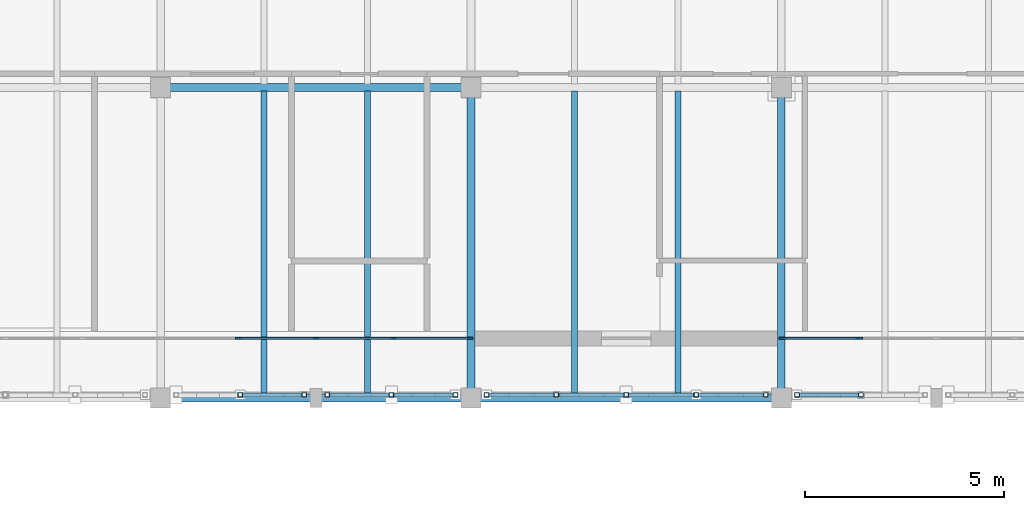
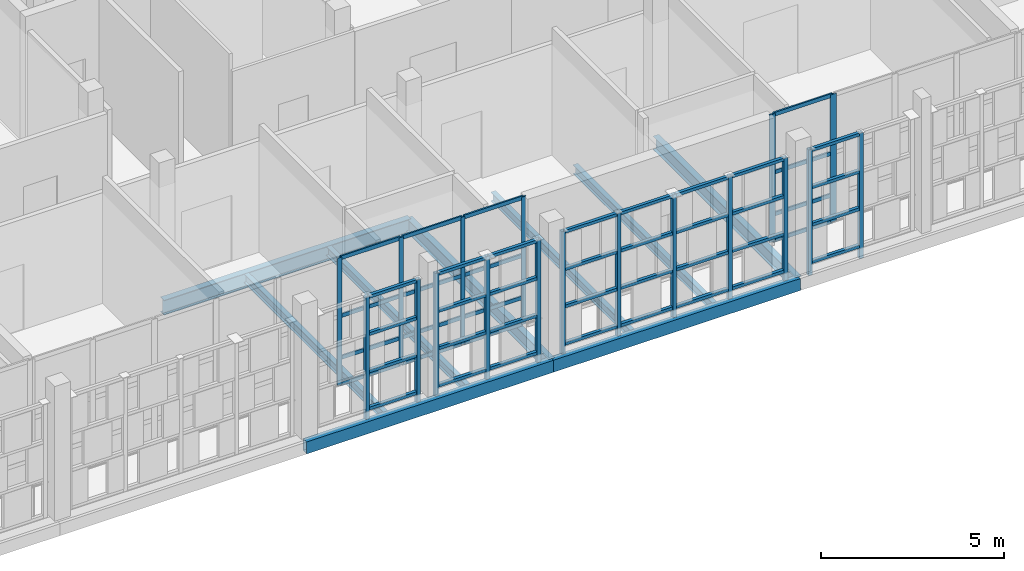
# One storey, part 37 of 89: 66 members, 9 beams, 2 elements without a shape of their own.
"""IFC4 building model written with IfcOpenShell, lengths in metres."""

from ifc_helpers import new_model, si_unit, direction, frame, origin, origin_2d, place, context, subcontext, project, spatial, rectangle, hollow_rectangle, i_section, extrude, material, layer, layer_set, material_profile, profile_set, type_object, element, aggregate, save


model = new_model("IFC4")

# Units and contexts
model_context = context("Model", 3, precision=1e-05, world=origin(), true_north=direction((0.0, 1.0)))
body_context = subcontext(model_context, "Body", "Model", "MODEL_VIEW")
ifc_project = project(units=[si_unit("LENGTHUNIT", "METRE"), si_unit("AREAUNIT", "SQUARE_METRE"), si_unit("VOLUMEUNIT", "CUBIC_METRE"), si_unit("PLANEANGLEUNIT", "RADIAN"), si_unit("MASSUNIT", "GRAM", prefix="KILO")], contexts=[model_context])

# Site, building, storey
site_placement = place(None, origin())
site = spatial("IfcSite", under=ifc_project, at=site_placement, CompositionType="ELEMENT")
building_placement = place(site_placement, origin())
building = spatial("IfcBuilding", under=site, at=building_placement, Name="Celorna Specialist Clinic", CompositionType="ELEMENT")
storey_placement = place(building_placement, frame((0.0, 0.0, 14.10009765625)))
storey = spatial("IfcBuildingStorey", under=building, at=storey_placement, Name="L03", CompositionType="ELEMENT", Elevation=14.10009765625)

# Beams
ifc_material_1 = material(Name="Steel S355", Category="steel")
ifc_material_profile_1 = material_profile(ifc_material_1, i_section(OverallWidth=0.199951171875, OverallDepth=0.5, WebThickness=0.01025390625, FlangeThickness=0.01611328125, at=origin_2d()), Name="IPE 500")
ifc_profile_set_1 = profile_set([ifc_material_profile_1], Name="Steel S355")
beam_type_1 = type_object("IfcBeamType", Name="BM-08", PredefinedType="BEAM", material=ifc_profile_set_1)
beam_placement = place(storey_placement, frame((78.0, 104.300048828125, -0.510009765625), z_axis=(1.0, 0.0, 0.0), x_axis=(0.0, 1.0, 0.0)))
element("IfcBeam", 1, at=beam_placement, inside=storey, type_object=beam_type_1, Name="Primary girder BM-08 #1216", PredefinedType="BEAM", context=body_context, shape_type="SweptSolid", body=[
    extrude(i_section(OverallWidth=0.199951171875, OverallDepth=0.5, WebThickness=0.01025390625, FlangeThickness=0.01611328125, at=origin_2d()), origin(), (0.0, 0.0, 1.0), 7.800048828125),
])
ifc_material_profile_2 = material_profile(ifc_material_1, i_section(OverallWidth=0.18994140625, OverallDepth=0.449951171875, WebThickness=0.009521484375, FlangeThickness=0.0146484375, at=origin_2d()), Name="IPE 450")
ifc_profile_set_2 = profile_set([ifc_material_profile_2], Name="Steel S355")
beam_type_2 = type_object("IfcBeamType", Name="BM-09", PredefinedType="BEAM", material=ifc_profile_set_2)
for number, where, z_axis, x_axis, name in (
    (2, (85.800048828125, 96.5, -0.485107421875), (0.0, 1.0, 0.0), (-1.0, 0.0, 0.0), "Transverse girder BM-09 #1260"),
    (3, (93.60009765625, 96.5, -0.485107421875), (0.0, 1.0, 0.0), (-1.0, 0.0, 0.0), "Transverse girder BM-09 #1263"),
):
    element("IfcBeam", number, at=place(storey_placement, frame(where, z_axis=z_axis, x_axis=x_axis)), inside=storey, type_object=beam_type_2, Name=name, PredefinedType="BEAM", context=body_context, shape_type="SweptSolid", body=[
        extrude(i_section(OverallWidth=0.18994140625, OverallDepth=0.449951171875, WebThickness=0.009521484375, FlangeThickness=0.0146484375, at=origin_2d()), origin(), (0.0, 0.0, 1.0), 7.800048828125),
    ])
ifc_material_profile_3 = material_profile(ifc_material_1, i_section(OverallWidth=0.14990234375, OverallDepth=0.300048828125, WebThickness=0.007080078125, FlangeThickness=0.0107421875, at=origin_2d()), Name="IPE 300")
ifc_profile_set_3 = profile_set([ifc_material_profile_3], Name="Steel S355")
beam_type_3 = type_object("IfcBeamType", Name="BM-13", PredefinedType="JOIST", material=ifc_profile_set_3)
for number, where, z_axis, x_axis, name in (
    (4, (80.60009765625, 96.587890625, -0.41015625), (0.0, 1.0, 0.0), (-1.0, 0.0, 0.0), "Secondary floor joist BM-13 #1301"),
    (5, (83.199951171875, 96.587890625, -0.41015625), (0.0, 1.0, 0.0), (-1.0, 0.0, 0.0), "Secondary floor joist BM-13 #1302"),
    (6, (88.39990234375, 96.587890625, -0.41015625), (0.0, 1.0, 0.0), (-1.0, 0.0, 0.0), "Secondary floor joist BM-13 #1305"),
    (7, (91.0, 96.587890625, -0.41015625), (0.0, 1.0, 0.0), (-1.0, 0.0, 0.0), "Secondary floor joist BM-13 #1306"),
):
    element("IfcBeam", number, at=place(storey_placement, frame(where, z_axis=z_axis, x_axis=x_axis)), inside=storey, type_object=beam_type_3, Name=name, PredefinedType="JOIST", context=body_context, shape_type="SweptSolid", body=[
        extrude(i_section(OverallWidth=0.14990234375, OverallDepth=0.300048828125, WebThickness=0.007080078125, FlangeThickness=0.0107421875, at=origin_2d()), origin(), (0.0, 0.0, 1.0), 7.6240234375),
    ])
ifc_material_profile_4 = material_profile(ifc_material_1, hollow_rectangle(XDim=0.199951171875, YDim=0.39990234375, WallThickness=0.011962890625, at=origin_2d()), Name="RHS 200x400x12")
ifc_profile_set_4 = profile_set([ifc_material_profile_4], Name="Steel S355")
beam_type_4 = type_object("IfcBeamType", Name="BM-15", PredefinedType="SPANDREL", material=ifc_profile_set_4)
for number, where, z_axis, x_axis, name in (
    (8, (78.0, 96.5, -0.460205078125), (1.0, 0.0, 0.0), (0.0, 1.0, 0.0), "Spandrel beam BM-15 #1205"),
    (9, (85.800048828125, 96.5, -0.460205078125), (1.0, 0.0, 0.0), (0.0, 1.0, 0.0), "Spandrel beam BM-15 #1206"),
):
    element("IfcBeam", number, at=place(storey_placement, frame(where, z_axis=z_axis, x_axis=x_axis)), inside=storey, type_object=beam_type_4, Name=name, PredefinedType="SPANDREL", context=body_context, shape_type="SweptSolid", body=[
        extrude(hollow_rectangle(XDim=0.199951171875, YDim=0.39990234375, WallThickness=0.011962890625, at=origin_2d()), origin(), (0.0, 0.0, 1.0), 7.800048828125),
    ])

# Members
ifc_material_profile_5 = material_profile(ifc_material_1, hollow_rectangle(XDim=0.1201171875, YDim=0.1201171875, WallThickness=0.008056640625, at=origin_2d()), Name="SHS 120x120x8")
ifc_profile_set_5 = profile_set([ifc_material_profile_5], Name="Steel S355")
member_type_1 = type_object("IfcMemberType", Name="MB-11", PredefinedType="STUD", material=ifc_profile_set_5)
for number, where, z_axis, x_axis, name in (
    (10, (80.0, 96.580078125, -0.360107421875), (0.0, 0.0, 1.0), (1.0, 0.0, 0.0), "Perforated screen steel post #1316"),
    (11, (81.610107421875, 96.580078125, -0.360107421875), (0.0, 0.0, 1.0), (1.0, 0.0, 0.0), "Perforated screen steel post #1317"),
    (12, (82.18994140625, 96.580078125, -0.360107421875), (0.0, 0.0, 1.0), (1.0, 0.0, 0.0), "Perforated screen steel post #1326"),
    (13, (83.800048828125, 96.580078125, -0.360107421875), (0.0, 0.0, 1.0), (1.0, 0.0, 0.0), "Perforated screen steel post #1327"),
    (14, (85.409912109375, 96.580078125, -0.360107421875), (0.0, 0.0, 1.0), (1.0, 0.0, 0.0), "Perforated screen steel post #1328"),
    (15, (86.18994140625, 96.580078125, -0.360107421875), (0.0, 0.0, 1.0), (1.0, 0.0, 0.0), "Perforated screen steel post #1337"),
    (16, (87.945068359375, 96.580078125, -0.360107421875), (0.0, 0.0, 1.0), (1.0, 0.0, 0.0), "Perforated screen steel post #1338"),
    (17, (89.699951171875, 96.580078125, -0.360107421875), (0.0, 0.0, 1.0), (1.0, 0.0, 0.0), "Perforated screen steel post #1339"),
    (18, (91.455078125, 96.580078125, -0.360107421875), (0.0, 0.0, 1.0), (1.0, 0.0, 0.0), "Perforated screen steel post #1340"),
    (19, (93.2099609375, 96.580078125, -0.360107421875), (0.0, 0.0, 1.0), (1.0, 0.0, 0.0), "Perforated screen steel post #1341"),
    (20, (93.989990234375, 96.580078125, -0.360107421875), (0.0, 0.0, 1.0), (1.0, 0.0, 0.0), "Perforated screen steel post #1358"),
    (21, (95.60009765625, 96.580078125, -0.360107421875), (0.0, 0.0, 1.0), (1.0, 0.0, 0.0), "Perforated screen steel post #1359"),
):
    element("IfcMember", number, at=place(storey_placement, frame(where, z_axis=z_axis, x_axis=x_axis)), inside=storey, type_object=member_type_1, Name=name, PredefinedType="STUD", context=body_context, shape_type="SweptSolid", body=[
        extrude(hollow_rectangle(XDim=0.1201171875, YDim=0.1201171875, WallThickness=0.008056640625, at=origin_2d()), origin(), (0.0, 0.0, 1.0), 4.199951171875),
    ])
ifc_material_profile_6 = material_profile(ifc_material_1, hollow_rectangle(XDim=0.10009765625, YDim=0.10009765625, WallThickness=0.006103515625, at=origin_2d()), Name="SHS 100x100x6")
ifc_profile_set_6 = profile_set([ifc_material_profile_6], Name="Steel S355")
member_type_2 = type_object("IfcMemberType", Name="MB-12", PredefinedType="STUD", material=ifc_profile_set_6)
for number, where, z_axis, x_axis, name in (
    (22, (80.06005859375, 96.580078125, 0.0498046875), (1.0, 0.0, 0.0), (0.0, 1.0, 0.0), "Perforated screen rail #1322"),
    (23, (80.06005859375, 96.580078125, 1.296630859375), (1.0, 0.0, 0.0), (0.0, 1.0, 0.0), "Perforated screen rail #1323"),
    (24, (80.06005859375, 96.580078125, 2.543212890625), (1.0, 0.0, 0.0), (0.0, 1.0, 0.0), "Perforated screen rail #1324"),
    (25, (80.06005859375, 96.580078125, 3.789794921875), (1.0, 0.0, 0.0), (0.0, 1.0, 0.0), "Perforated screen rail #1325"),
    (26, (82.25, 96.580078125, 0.0498046875), (1.0, 0.0, 0.0), (0.0, 1.0, 0.0), "Perforated screen rail #1329"),
    (27, (82.25, 96.580078125, 1.296630859375), (1.0, 0.0, 0.0), (0.0, 1.0, 0.0), "Perforated screen rail #1330"),
    (28, (82.25, 96.580078125, 2.543212890625), (1.0, 0.0, 0.0), (0.0, 1.0, 0.0), "Perforated screen rail #1331"),
    (29, (82.25, 96.580078125, 3.789794921875), (1.0, 0.0, 0.0), (0.0, 1.0, 0.0), "Perforated screen rail #1332"),
    (30, (83.860107421875, 96.580078125, 0.0498046875), (1.0, 0.0, 0.0), (0.0, 1.0, 0.0), "Perforated screen rail #1333"),
    (31, (83.860107421875, 96.580078125, 1.296630859375), (1.0, 0.0, 0.0), (0.0, 1.0, 0.0), "Perforated screen rail #1334"),
    (32, (83.860107421875, 96.580078125, 2.543212890625), (1.0, 0.0, 0.0), (0.0, 1.0, 0.0), "Perforated screen rail #1335"),
    (33, (83.860107421875, 96.580078125, 3.789794921875), (1.0, 0.0, 0.0), (0.0, 1.0, 0.0), "Perforated screen rail #1336"),
):
    element("IfcMember", number, at=place(storey_placement, frame(where, z_axis=z_axis, x_axis=x_axis)), inside=storey, type_object=member_type_2, Name=name, PredefinedType="STUD", context=body_context, shape_type="SweptSolid", body=[
        extrude(hollow_rectangle(XDim=0.10009765625, YDim=0.10009765625, WallThickness=0.006103515625, at=origin_2d()), origin(), (0.0, 0.0, 1.0), 1.489990234375),
    ])
for number, where, z_axis, x_axis, name in (
    (34, (86.25, 96.580078125, 0.0498046875), (1.0, 0.0, 0.0), (0.0, 1.0, 0.0), "Perforated screen rail #1342"),
    (35, (86.25, 96.580078125, 1.296630859375), (1.0, 0.0, 0.0), (0.0, 1.0, 0.0), "Perforated screen rail #1343"),
    (36, (86.25, 96.580078125, 2.543212890625), (1.0, 0.0, 0.0), (0.0, 1.0, 0.0), "Perforated screen rail #1344"),
    (37, (86.25, 96.580078125, 3.789794921875), (1.0, 0.0, 0.0), (0.0, 1.0, 0.0), "Perforated screen rail #1345"),
    (38, (88.0048828125, 96.580078125, 0.0498046875), (1.0, 0.0, 0.0), (0.0, 1.0, 0.0), "Perforated screen rail #1346"),
    (39, (88.0048828125, 96.580078125, 1.296630859375), (1.0, 0.0, 0.0), (0.0, 1.0, 0.0), "Perforated screen rail #1347"),
    (40, (88.0048828125, 96.580078125, 2.543212890625), (1.0, 0.0, 0.0), (0.0, 1.0, 0.0), "Perforated screen rail #1348"),
    (41, (88.0048828125, 96.580078125, 3.789794921875), (1.0, 0.0, 0.0), (0.0, 1.0, 0.0), "Perforated screen rail #1349"),
    (42, (89.760009765625, 96.580078125, 0.0498046875), (1.0, 0.0, 0.0), (0.0, 1.0, 0.0), "Perforated screen rail #1350"),
    (43, (89.760009765625, 96.580078125, 1.296630859375), (1.0, 0.0, 0.0), (0.0, 1.0, 0.0), "Perforated screen rail #1351"),
    (44, (89.760009765625, 96.580078125, 2.543212890625), (1.0, 0.0, 0.0), (0.0, 1.0, 0.0), "Perforated screen rail #1352"),
    (45, (89.760009765625, 96.580078125, 3.789794921875), (1.0, 0.0, 0.0), (0.0, 1.0, 0.0), "Perforated screen rail #1353"),
    (46, (91.514892578125, 96.580078125, 0.0498046875), (1.0, 0.0, 0.0), (0.0, 1.0, 0.0), "Perforated screen rail #1354"),
    (47, (91.514892578125, 96.580078125, 1.296630859375), (1.0, 0.0, 0.0), (0.0, 1.0, 0.0), "Perforated screen rail #1355"),
    (48, (91.514892578125, 96.580078125, 2.543212890625), (1.0, 0.0, 0.0), (0.0, 1.0, 0.0), "Perforated screen rail #1356"),
    (49, (91.514892578125, 96.580078125, 3.789794921875), (1.0, 0.0, 0.0), (0.0, 1.0, 0.0), "Perforated screen rail #1357"),
):
    element("IfcMember", number, at=place(storey_placement, frame(where, z_axis=z_axis, x_axis=x_axis)), inside=storey, type_object=member_type_2, Name=name, PredefinedType="STUD", context=body_context, shape_type="SweptSolid", body=[
        extrude(hollow_rectangle(XDim=0.10009765625, YDim=0.10009765625, WallThickness=0.006103515625, at=origin_2d()), origin(), (0.0, 0.0, 1.0), 1.635009765625),
    ])
for number, where, z_axis, x_axis, name in (
    (50, (94.050048828125, 96.580078125, 0.0498046875), (1.0, 0.0, 0.0), (0.0, 1.0, 0.0), "Perforated screen rail #1361"),
    (51, (94.050048828125, 96.580078125, 1.296630859375), (1.0, 0.0, 0.0), (0.0, 1.0, 0.0), "Perforated screen rail #1362"),
    (52, (94.050048828125, 96.580078125, 2.543212890625), (1.0, 0.0, 0.0), (0.0, 1.0, 0.0), "Perforated screen rail #1363"),
    (53, (94.050048828125, 96.580078125, 3.789794921875), (1.0, 0.0, 0.0), (0.0, 1.0, 0.0), "Perforated screen rail #1364"),
):
    element("IfcMember", number, at=place(storey_placement, frame(where, z_axis=z_axis, x_axis=x_axis)), inside=storey, type_object=member_type_2, Name=name, PredefinedType="STUD", context=body_context, shape_type="SweptSolid", body=[
        extrude(hollow_rectangle(XDim=0.10009765625, YDim=0.10009765625, WallThickness=0.006103515625, at=origin_2d()), origin(), (0.0, 0.0, 1.0), 1.489990234375),
    ])

# Curtain wall, members
ifc_material_2 = material(Name="Thermally broken aluminium and solar-control glass curtain wall", Category="aluminium")
ifc_layer_1 = layer(ifc_material_2, 0.159912109375, Name="Thermally broken aluminium and solar-control glass curtain wall")
ifc_layer_set_1 = layer_set([ifc_layer_1], Name="Thermally broken aluminium and solar-control glass curtain wall")
curtain_wall_type_1 = type_object("IfcCurtainWallType", Name="CW-71", PredefinedType="NOTDEFINED", material=ifc_layer_set_1)
curtain_wall_1_placement = place(storey_placement, origin())
curtain_wall_1 = element("IfcCurtainWall", 54, at=curtain_wall_1_placement, inside=storey, type_object=curtain_wall_type_1, Name="Curtain wall CW-71 #133", PredefinedType="NOTDEFINED")
ifc_material_3 = material(Name="Anodized aluminium mullion", Category="aluminium")
ifc_material_profile_7 = material_profile(ifc_material_3, rectangle(XDim=0.050048828125, YDim=0.179931640625, at=origin_2d()), Name="ALU MULLION 50x180")
ifc_profile_set_7 = profile_set([ifc_material_profile_7], Name="Anodized aluminium mullion")
member_type_3 = type_object("IfcMemberType", Name="ML-02", PredefinedType="MULLION", material=ifc_profile_set_7)
member_1_placement = place(storey_placement, frame((95.552001953125, 98.0, 0.0), z_axis=(0.0, 0.0, 1.0), x_axis=(0.0, -1.0, 0.0)))
member_1 = element("IfcMember", 55, at=member_1_placement, type_object=member_type_3, Name="CW-71 mullion 4", PredefinedType="MULLION", context=body_context, shape_type="SweptSolid", body=[
    extrude(rectangle(XDim=0.050048828125, YDim=0.179931640625, at=origin_2d()), origin(), (0.0, 0.0, 1.0), 4.260009765625),
])
member_2_placement = place(storey_placement, frame((93.62890625, 98.0, 0.0), z_axis=(0.0, 0.0, 1.0), x_axis=(0.0, -1.0, 0.0)))
member_2 = element("IfcMember", 56, at=member_2_placement, type_object=member_type_3, Name="CW-71 mullion 5", PredefinedType="MULLION", context=body_context, shape_type="SweptSolid", body=[
    extrude(rectangle(XDim=0.050048828125, YDim=0.179931640625, at=origin_2d()), origin(), (0.0, 0.0, 1.0), 4.260009765625),
])

ifc_layer_2 = layer(ifc_material_2, 0.159912109375, Name="Thermally broken aluminium and solar-control glass curtain wall")
ifc_layer_set_2 = layer_set([ifc_layer_2], Name="Thermally broken aluminium and solar-control glass curtain wall")
curtain_wall_type_2 = type_object("IfcCurtainWallType", Name="CW-69", PredefinedType="NOTDEFINED", material=ifc_layer_set_2)
curtain_wall_2_placement = place(storey_placement, origin())
curtain_wall_2 = element("IfcCurtainWall", 57, at=curtain_wall_2_placement, inside=storey, type_object=curtain_wall_type_2, Name="Curtain wall CW-69 #132", PredefinedType="NOTDEFINED")
ifc_material_profile_8 = material_profile(ifc_material_3, rectangle(XDim=0.050048828125, YDim=0.139892578125, at=origin_2d()), Name="ALU MULLION 50x140")
ifc_profile_set_8 = profile_set([ifc_material_profile_8], Name="Anodized aluminium mullion")
member_type_4 = type_object("IfcMemberType", Name="ML-03", PredefinedType="MULLION", material=ifc_profile_set_8)
member_3_placement = place(storey_placement, frame((85.77099609375, 98.0, 0.0), z_axis=(0.0, 0.0, 1.0), x_axis=(0.0, -1.0, 0.0)))
member_3 = element("IfcMember", 58, at=member_3_placement, type_object=member_type_4, Name="CW-69 mullion 1", PredefinedType="MULLION", context=body_context, shape_type="SweptSolid", body=[
    extrude(rectangle(XDim=0.050048828125, YDim=0.139892578125, at=origin_2d()), origin(), (0.0, 0.0, 1.0), 4.260009765625),
])
member_4_placement = place(storey_placement, frame((83.847900390625, 98.0, 0.0), z_axis=(0.0, 0.0, 1.0), x_axis=(0.0, -1.0, 0.0)))
member_4 = element("IfcMember", 59, at=member_4_placement, type_object=member_type_4, Name="CW-69 mullion 2", PredefinedType="MULLION", context=body_context, shape_type="SweptSolid", body=[
    extrude(rectangle(XDim=0.050048828125, YDim=0.139892578125, at=origin_2d()), origin(), (0.0, 0.0, 1.0), 4.260009765625),
])
member_5_placement = place(storey_placement, frame((81.89990234375, 98.0, 0.0), z_axis=(0.0, 0.0, 1.0), x_axis=(0.0, -1.0, 0.0)))
member_5 = element("IfcMember", 60, at=member_5_placement, type_object=member_type_4, Name="CW-69 mullion 3", PredefinedType="MULLION", context=body_context, shape_type="SweptSolid", body=[
    extrude(rectangle(XDim=0.050048828125, YDim=0.139892578125, at=origin_2d()), origin(), (0.0, 0.0, 1.0), 4.260009765625),
])
member_6_placement = place(storey_placement, frame((79.951904296875, 98.0, 0.0), z_axis=(0.0, 0.0, 1.0), x_axis=(0.0, -1.0, 0.0)))
member_6 = element("IfcMember", 61, at=member_6_placement, type_object=member_type_4, Name="CW-69 mullion 4", PredefinedType="MULLION", context=body_context, shape_type="SweptSolid", body=[
    extrude(rectangle(XDim=0.050048828125, YDim=0.139892578125, at=origin_2d()), origin(), (0.0, 0.0, 1.0), 4.260009765625),
])
ifc_material_4 = material(Name="Anodized aluminium transom", Category="aluminium")
ifc_material_profile_9 = material_profile(ifc_material_4, rectangle(XDim=0.050048828125, YDim=0.1298828125, at=origin_2d()), Name="ALU TRANSOM 50x130")
ifc_profile_set_9 = profile_set([ifc_material_profile_9], Name="Anodized aluminium transom")
member_type_5 = type_object("IfcMemberType", Name="TR-01", PredefinedType="USERDEFINED", material=ifc_profile_set_9)
member_7_placement = place(storey_placement, frame((85.74609375, 98.0, 0.02490234375), z_axis=(-1.0, 0.0, 0.0), x_axis=(0.0, -1.0, 0.0)))
member_7 = element("IfcMember", 62, at=member_7_placement, type_object=member_type_5, Name="CW-69 transom 1.1", ObjectType="TRANSOM", PredefinedType="USERDEFINED", context=body_context, shape_type="SweptSolid", body=[
    extrude(rectangle(XDim=0.050048828125, YDim=0.1298828125, at=origin_2d()), origin(), (0.0, 0.0, 1.0), 1.873046875),
])
member_8_placement = place(storey_placement, frame((85.74609375, 98.0, 0.89990234375), z_axis=(-1.0, 0.0, 0.0), x_axis=(0.0, -1.0, 0.0)))
member_8 = element("IfcMember", 63, at=member_8_placement, type_object=member_type_5, Name="CW-69 transom 1.2", ObjectType="TRANSOM", PredefinedType="USERDEFINED", context=body_context, shape_type="SweptSolid", body=[
    extrude(rectangle(XDim=0.050048828125, YDim=0.1298828125, at=origin_2d()), origin(), (0.0, 0.0, 1.0), 1.873046875),
])
member_9_placement = place(storey_placement, frame((85.74609375, 98.0, 2.2998046875), z_axis=(-1.0, 0.0, 0.0), x_axis=(0.0, -1.0, 0.0)))
member_9 = element("IfcMember", 64, at=member_9_placement, type_object=member_type_5, Name="CW-69 transom 1.3", ObjectType="TRANSOM", PredefinedType="USERDEFINED", context=body_context, shape_type="SweptSolid", body=[
    extrude(rectangle(XDim=0.050048828125, YDim=0.1298828125, at=origin_2d()), origin(), (0.0, 0.0, 1.0), 1.873046875),
])
member_10_placement = place(storey_placement, frame((85.74609375, 98.0, 4.23486328125), z_axis=(-1.0, 0.0, 0.0), x_axis=(0.0, -1.0, 0.0)))
member_10 = element("IfcMember", 65, at=member_10_placement, type_object=member_type_5, Name="CW-69 transom 1.4", ObjectType="TRANSOM", PredefinedType="USERDEFINED", context=body_context, shape_type="SweptSolid", body=[
    extrude(rectangle(XDim=0.050048828125, YDim=0.1298828125, at=origin_2d()), origin(), (0.0, 0.0, 1.0), 1.873046875),
])
member_11_placement = place(storey_placement, frame((83.822998046875, 98.0, 0.02490234375), z_axis=(-1.0, 0.0, 0.0), x_axis=(0.0, -1.0, 0.0)))
member_11 = element("IfcMember", 66, at=member_11_placement, type_object=member_type_5, Name="CW-69 transom 2.1", ObjectType="TRANSOM", PredefinedType="USERDEFINED", context=body_context, shape_type="SweptSolid", body=[
    extrude(rectangle(XDim=0.050048828125, YDim=0.1298828125, at=origin_2d()), origin(), (0.0, 0.0, 1.0), 1.89794921875),
])
member_12_placement = place(storey_placement, frame((83.822998046875, 98.0, 0.89990234375), z_axis=(-1.0, 0.0, 0.0), x_axis=(0.0, -1.0, 0.0)))
member_12 = element("IfcMember", 67, at=member_12_placement, type_object=member_type_5, Name="CW-69 transom 2.2", ObjectType="TRANSOM", PredefinedType="USERDEFINED", context=body_context, shape_type="SweptSolid", body=[
    extrude(rectangle(XDim=0.050048828125, YDim=0.1298828125, at=origin_2d()), origin(), (0.0, 0.0, 1.0), 1.89794921875),
])
member_13_placement = place(storey_placement, frame((83.822998046875, 98.0, 2.2998046875), z_axis=(-1.0, 0.0, 0.0), x_axis=(0.0, -1.0, 0.0)))
member_13 = element("IfcMember", 68, at=member_13_placement, type_object=member_type_5, Name="CW-69 transom 2.3", ObjectType="TRANSOM", PredefinedType="USERDEFINED", context=body_context, shape_type="SweptSolid", body=[
    extrude(rectangle(XDim=0.050048828125, YDim=0.1298828125, at=origin_2d()), origin(), (0.0, 0.0, 1.0), 1.89794921875),
])
member_14_placement = place(storey_placement, frame((83.822998046875, 98.0, 4.23486328125), z_axis=(-1.0, 0.0, 0.0), x_axis=(0.0, -1.0, 0.0)))
member_14 = element("IfcMember", 69, at=member_14_placement, type_object=member_type_5, Name="CW-69 transom 2.4", ObjectType="TRANSOM", PredefinedType="USERDEFINED", context=body_context, shape_type="SweptSolid", body=[
    extrude(rectangle(XDim=0.050048828125, YDim=0.1298828125, at=origin_2d()), origin(), (0.0, 0.0, 1.0), 1.89794921875),
])
member_15_placement = place(storey_placement, frame((81.875, 98.0, 0.02490234375), z_axis=(-1.0, 0.0, 0.0), x_axis=(0.0, -1.0, 0.0)))
member_15 = element("IfcMember", 70, at=member_15_placement, type_object=member_type_5, Name="CW-69 transom 3.1", ObjectType="TRANSOM", PredefinedType="USERDEFINED", context=body_context, shape_type="SweptSolid", body=[
    extrude(rectangle(XDim=0.050048828125, YDim=0.1298828125, at=origin_2d()), origin(), (0.0, 0.0, 1.0), 1.89794921875),
])
member_16_placement = place(storey_placement, frame((81.875, 98.0, 0.89990234375), z_axis=(-1.0, 0.0, 0.0), x_axis=(0.0, -1.0, 0.0)))
member_16 = element("IfcMember", 71, at=member_16_placement, type_object=member_type_5, Name="CW-69 transom 3.2", ObjectType="TRANSOM", PredefinedType="USERDEFINED", context=body_context, shape_type="SweptSolid", body=[
    extrude(rectangle(XDim=0.050048828125, YDim=0.1298828125, at=origin_2d()), origin(), (0.0, 0.0, 1.0), 1.89794921875),
])
member_17_placement = place(storey_placement, frame((81.875, 98.0, 2.2998046875), z_axis=(-1.0, 0.0, 0.0), x_axis=(0.0, -1.0, 0.0)))
member_17 = element("IfcMember", 72, at=member_17_placement, type_object=member_type_5, Name="CW-69 transom 3.3", ObjectType="TRANSOM", PredefinedType="USERDEFINED", context=body_context, shape_type="SweptSolid", body=[
    extrude(rectangle(XDim=0.050048828125, YDim=0.1298828125, at=origin_2d()), origin(), (0.0, 0.0, 1.0), 1.89794921875),
])
member_18_placement = place(storey_placement, frame((81.875, 98.0, 4.23486328125), z_axis=(-1.0, 0.0, 0.0), x_axis=(0.0, -1.0, 0.0)))
member_18 = element("IfcMember", 73, at=member_18_placement, type_object=member_type_5, Name="CW-69 transom 3.4", ObjectType="TRANSOM", PredefinedType="USERDEFINED", context=body_context, shape_type="SweptSolid", body=[
    extrude(rectangle(XDim=0.050048828125, YDim=0.1298828125, at=origin_2d()), origin(), (0.0, 0.0, 1.0), 1.89794921875),
])
aggregate(curtain_wall_2, [member_3, member_4, member_5, member_6, member_7, member_8, member_9, member_10, member_11, member_12, member_13, member_14, member_15, member_16, member_17, member_18])

# Member
member_19_placement = place(storey_placement, frame((95.527099609375, 98.0, 0.02490234375), z_axis=(-1.0, 0.0, 0.0), x_axis=(0.0, -1.0, 0.0)))
member_19 = element("IfcMember", 74, at=member_19_placement, type_object=member_type_5, Name="CW-71 transom 4.1", ObjectType="TRANSOM", PredefinedType="USERDEFINED", context=body_context, shape_type="SweptSolid", body=[
    extrude(rectangle(XDim=0.050048828125, YDim=0.1298828125, at=origin_2d()), origin(), (0.0, 0.0, 1.0), 1.873046875),
])

member_20_placement = place(storey_placement, frame((95.527099609375, 98.0, 0.89990234375), z_axis=(-1.0, 0.0, 0.0), x_axis=(0.0, -1.0, 0.0)))
member_20 = element("IfcMember", 75, at=member_20_placement, type_object=member_type_5, Name="CW-71 transom 4.2", ObjectType="TRANSOM", PredefinedType="USERDEFINED", context=body_context, shape_type="SweptSolid", body=[
    extrude(rectangle(XDim=0.050048828125, YDim=0.1298828125, at=origin_2d()), origin(), (0.0, 0.0, 1.0), 1.873046875),
])

member_21_placement = place(storey_placement, frame((95.527099609375, 98.0, 2.2998046875), z_axis=(-1.0, 0.0, 0.0), x_axis=(0.0, -1.0, 0.0)))
member_21 = element("IfcMember", 76, at=member_21_placement, type_object=member_type_5, Name="CW-71 transom 4.3", ObjectType="TRANSOM", PredefinedType="USERDEFINED", context=body_context, shape_type="SweptSolid", body=[
    extrude(rectangle(XDim=0.050048828125, YDim=0.1298828125, at=origin_2d()), origin(), (0.0, 0.0, 1.0), 1.873046875),
])

member_22_placement = place(storey_placement, frame((95.527099609375, 98.0, 4.23486328125), z_axis=(-1.0, 0.0, 0.0), x_axis=(0.0, -1.0, 0.0)))
member_22 = element("IfcMember", 77, at=member_22_placement, type_object=member_type_5, Name="CW-71 transom 4.4", ObjectType="TRANSOM", PredefinedType="USERDEFINED", context=body_context, shape_type="SweptSolid", body=[
    extrude(rectangle(XDim=0.050048828125, YDim=0.1298828125, at=origin_2d()), origin(), (0.0, 0.0, 1.0), 1.873046875),
])

aggregate(curtain_wall_1, [member_1, member_2, member_19, member_20, member_21, member_22])

save(model, "model.ifc")
